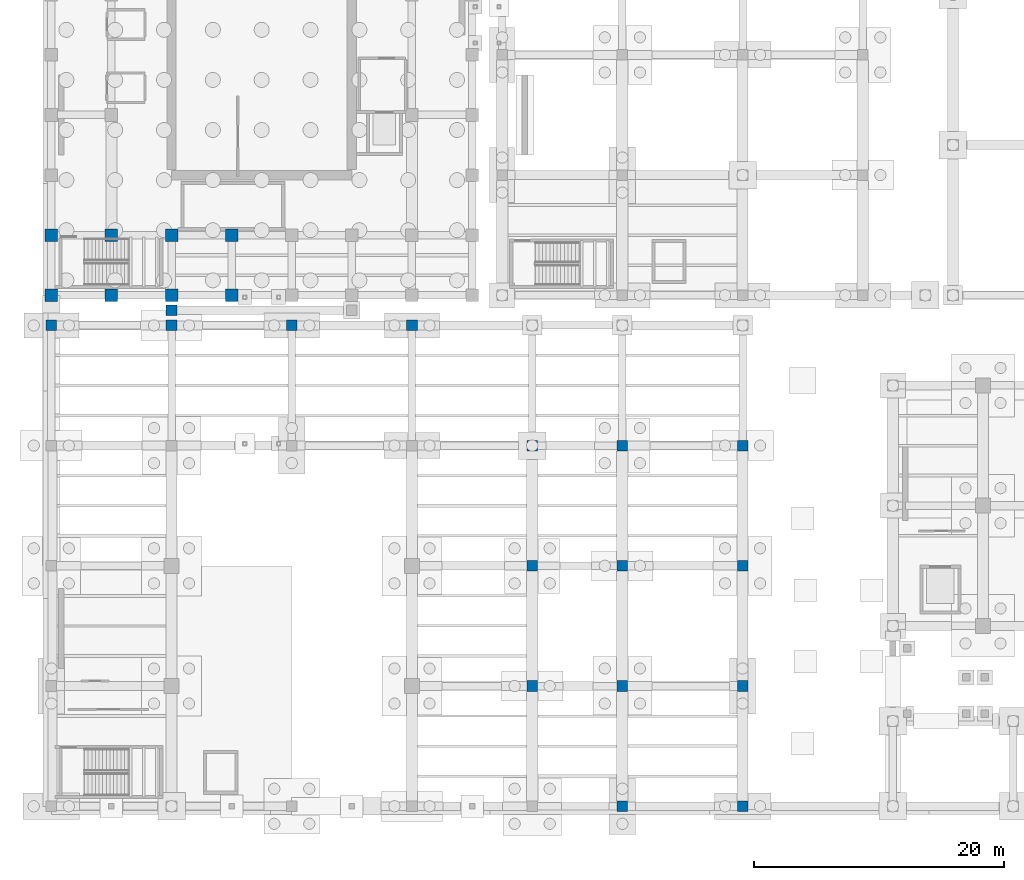
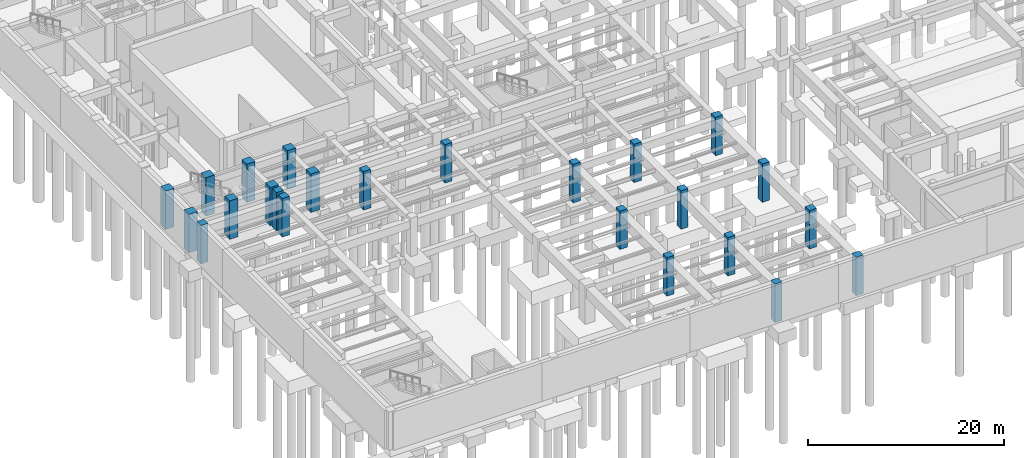
# One storey, part 14 of 56: 24 columns.
"""IFC4 building model written with IfcOpenShell, lengths in metres."""

import ifcopenshell
import ifcopenshell.guid

model = None  # the IFC model being written
_history = None  # IfcOwnerHistory: only IFC2X3 demands one
_inside = {}  # id of a spatial element -> (the spatial element, [elements in it])
_under = {}  # id of a project, library or spatial element -> (it, [spatial elements below it])
_declared = {}  # id of a project -> (the project, [libraries it declares])
_typed = {}  # id of a type object -> (the type object, [elements of that type])
_made_of = {}  # id of a material, layer set ... -> (it, [elements and type objects made of it])


def new_model(schema):
    """Start an empty IFC model of exactly this schema.

    Asked for "IFC4X3", IfcOpenShell would pick the latest addendum, in which some entities
    have other attributes; the version numbers below select the first issue.
    IFC2X3 requires an IfcOwnerHistory on every rooted entity: one is made here for all.
    """
    global model, _history
    if schema == "IFC4X3":
        model = ifcopenshell.file(schema_version=(4, 3, 0, 0))
    else:
        model = ifcopenshell.file(schema=schema)
    _inside.clear()
    _under.clear()
    _declared.clear()
    _typed.clear()
    _made_of.clear()
    _history = None
    if model.schema == "IFC2X3":
        org = make("IfcOrganization", Name="unknown")
        user = make(
            "IfcPersonAndOrganization",
            ThePerson=make("IfcPerson", FamilyName="unknown"),
            TheOrganization=org,
        )
        app = make(
            "IfcApplication",
            ApplicationDeveloper=org,
            Version="unknown",
            ApplicationFullName="unknown",
            ApplicationIdentifier="unknown",
        )
        _history = make(
            "IfcOwnerHistory",
            OwningUser=user,
            OwningApplication=app,
            ChangeAction="ADDED",
            CreationDate=0,
        )
    return model


def make(cls, **values):
    """One entity of the class cls with the attributes given. An attribute that is None is left unset."""
    return model.create_entity(
        cls, **{name: value for name, value in values.items() if value is not None}
    )


def rooted(cls, **values):
    """An entity with a GlobalId (a new one), such as an element, a storey or a relation."""
    return make(cls, GlobalId=ifcopenshell.guid.new(), OwnerHistory=_history, **values)


def si_unit(unit_type, name, prefix=None):
    """IfcSIUnit, for example si_unit("LENGTHUNIT", "METRE", prefix="MILLI")."""
    return make("IfcSIUnit", UnitType=unit_type, Prefix=prefix, Name=name)


def assignment(units):
    """IfcUnitAssignment: the units of a project."""
    return None if units is None else make("IfcUnitAssignment", Units=units)


def point(xyz):
    """IfcCartesianPoint."""
    return None if xyz is None else make("IfcCartesianPoint", Coordinates=xyz)


def direction(xyz):
    """IfcDirection."""
    return None if xyz is None else make("IfcDirection", DirectionRatios=xyz)


def frame(location, z_axis=None, x_axis=None):
    """IfcAxis2Placement3D, a coordinate frame: its origin and axes. An axis left out is left unset."""
    return make(
        "IfcAxis2Placement3D",
        Location=point(location),
        Axis=direction(z_axis),
        RefDirection=direction(x_axis),
    )


def frame_2d(location, x_axis=None):
    """IfcAxis2Placement2D, a coordinate frame in the plane: its origin and x axis."""
    return make(
        "IfcAxis2Placement2D", Location=point(location), RefDirection=direction(x_axis)
    )


def origin():
    """The frame at (0, 0, 0) with its axes left unset."""
    return frame((0.0, 0.0, 0.0))


def origin_2d():
    """The frame at (0, 0) in the plane with its x axis left unset."""
    return frame_2d((0.0, 0.0))


def place(relative_to, where):
    """IfcLocalPlacement: puts the frame where relative to a parent placement (None: the world)."""
    return make(
        "IfcLocalPlacement", PlacementRelTo=relative_to, RelativePlacement=where
    )


def context(
    kind, dimensions, precision=None, world=None, true_north=None, identifier=None
):
    """IfcGeometricRepresentationContext, for example the 3D "Model" context."""
    return make(
        "IfcGeometricRepresentationContext",
        ContextIdentifier=identifier,
        ContextType=kind,
        CoordinateSpaceDimension=dimensions,
        Precision=precision,
        WorldCoordinateSystem=world,
        TrueNorth=true_north,
    )


def subcontext(parent, identifier, kind, view, scale=None):
    """IfcGeometricRepresentationSubContext, for example "Body" below "Model"."""
    return make(
        "IfcGeometricRepresentationSubContext",
        ContextIdentifier=identifier,
        ContextType=kind,
        ParentContext=parent,
        TargetScale=scale,
        TargetView=view,
    )


def project(units=None, contexts=None):
    """IfcProject with its units and contexts."""
    return rooted(
        "IfcProject",
        Name="project",
        RepresentationContexts=contexts,
        UnitsInContext=assignment(units),
    )


def spatial(cls, under=None, at=None, **own):
    """A site, building, storey or space (cls), placed at a placement, below another one or the project."""
    s = rooted(cls, ObjectPlacement=at, **own)
    if under is not None:
        _under.setdefault(under.id(), (under, []))[1].append(s)
    return s


def profile(cls, at=None, kind="AREA", **sizes):
    """A parametric profile (cls). Its sizes go by their IFC names, for example OverallWidth=200.0."""
    return make(cls, ProfileType=kind, Position=at, **sizes)


def rectangle(**sizes):
    """IfcRectangleProfileDef."""
    return profile("IfcRectangleProfileDef", **sizes)


def extrude(swept, where, along, depth):
    """IfcExtrudedAreaSolid: the profile swept, set in the frame where, extruded along a direction by depth."""
    return make(
        "IfcExtrudedAreaSolid",
        SweptArea=swept,
        Position=where,
        ExtrudedDirection=direction(along),
        Depth=depth,
    )


def shape(context_of_items, identifier, shape_type, items):
    """IfcShapeRepresentation: the items that make up one representation, for example the "Body"."""
    return make(
        "IfcShapeRepresentation",
        ContextOfItems=context_of_items,
        RepresentationIdentifier=identifier,
        RepresentationType=shape_type,
        Items=items,
    )


def material(Name=None, Category=None):
    """IfcMaterial."""
    return make("IfcMaterial", Name=Name, Category=Category)


def material_profile(
    of_material, cross_section, Name=None, Category=None, Priority=None
):
    """IfcMaterialProfile: a cross section and its material."""
    return make(
        "IfcMaterialProfile",
        Name=Name,
        Material=of_material,
        Profile=cross_section,
        Priority=Priority,
        Category=Category,
    )


def profile_set(profiles, Name=None, composite=None):
    """IfcMaterialProfileSet."""
    return make(
        "IfcMaterialProfileSet",
        Name=Name,
        MaterialProfiles=profiles,
        CompositeProfile=composite,
    )


def made_of(thing, what):
    """Note that an element or type object is made of a material, layer set ...; save() writes the relation."""
    if what is not None:
        _made_of.setdefault(what.id(), (what, []))[1].append(thing)
    return thing


def type_object(cls, material=None, **own):
    """A type object (cls), such as IfcWallType, which elements share."""
    return made_of(rooted(cls, **own), material)


def element(
    cls,
    number,
    at=None,
    inside=None,
    cuts=None,
    type_object=None,
    material=None,
    context=None,
    identifier="Body",
    shape_type=None,
    held_by="IfcProductDefinitionShape",
    body=None,
    shapes=None,
    **own,
):
    """One element of the class cls, such as IfcWall. Its Tag is "e" and its number.

    at: its placement. inside: the storey or other place that contains it. cuts: it is an
    opening in that element (IfcRelVoidsElement). A single representation is given by context,
    identifier, shape_type and body (its items); several are given by shapes. held_by: the class
    of the entity that holds the representations. save() writes the other relations.
    """
    e = rooted(cls, Tag="e%d" % number, ObjectPlacement=at, **own)
    if body is not None:
        shapes = [shape(context, identifier, shape_type, body)]
    if shapes is not None:
        e.Representation = make(held_by, Representations=shapes)
    if inside is not None:
        _inside.setdefault(inside.id(), (inside, []))[1].append(e)
    if cuts is not None:
        rooted(
            "IfcRelVoidsElement", RelatingBuildingElement=cuts, RelatedOpeningElement=e
        )
    if type_object is not None:
        _typed.setdefault(type_object.id(), (type_object, []))[1].append(e)
    return made_of(e, material)


def aggregate(whole, parts):
    """IfcRelAggregates: a whole, such as a stair, and the parts it consists of."""
    return rooted("IfcRelAggregates", RelatingObject=whole, RelatedObjects=parts)


def save(model, path):
    """Write the relations noted so far, then the file.

    IfcRelAggregates (storeys below a building ...), IfcRelContainedInSpatialStructure (elements
    in a storey), IfcRelDefinesByType, IfcRelAssociatesMaterial and IfcRelDeclares: one each for
    every whole, place, type object, material and project.
    """
    for whole, parts in _under.values():
        aggregate(whole, parts)
    for where, things in _inside.values():
        rooted(
            "IfcRelContainedInSpatialStructure",
            RelatedElements=things,
            RelatingStructure=where,
        )
    for kind, things in _typed.values():
        rooted("IfcRelDefinesByType", RelatedObjects=things, RelatingType=kind)
    for what, things in _made_of.values():
        rooted("IfcRelAssociatesMaterial", RelatedObjects=things, RelatingMaterial=what)
    for by, libraries in _declared.values():
        rooted("IfcRelDeclares", RelatingContext=by, RelatedDefinitions=libraries)
    model.write(path)


model = new_model("IFC4")

# Units and contexts
model_context = context("Model", 3, precision=1e-05, world=origin(), true_north=direction((0.0, 1.0)))
body_context = subcontext(model_context, "Body", "Model", "MODEL_VIEW")
ifc_project = project(units=[si_unit("LENGTHUNIT", "METRE"), si_unit("AREAUNIT", "SQUARE_METRE"), si_unit("VOLUMEUNIT", "CUBIC_METRE"), si_unit("PLANEANGLEUNIT", "RADIAN"), si_unit("MASSUNIT", "GRAM", prefix="KILO")], contexts=[model_context])

# Site, building, storey
site_placement = place(None, origin())
site = spatial("IfcSite", under=ifc_project, at=site_placement, CompositionType="ELEMENT")
building_placement = place(site_placement, origin())
building = spatial("IfcBuilding", under=site, at=building_placement, Name="Mavantir Sound Aquarium", CompositionType="ELEMENT")
storey_placement = place(building_placement, frame((0.0, 0.0, -9.60009765625)))
storey = spatial("IfcBuildingStorey", under=building, at=storey_placement, Name="B2", CompositionType="ELEMENT", Elevation=-9.60009765625)

# Columns
ifc_material = material(Name="Concrete C40/50", Category="concrete")
ifc_material_profile_1 = material_profile(ifc_material, rectangle(XDim=1.0, YDim=1.0, at=origin_2d()), Name="RC 1000X1000")
ifc_profile_set_1 = profile_set([ifc_material_profile_1], Name="Concrete C40/50")
column_type_1 = type_object("IfcColumnType", Name="COL-RC1000-E", PredefinedType="COLUMN", material=ifc_profile_set_1)
for number, where, z_axis, x_axis, name in (
    (1, (0.0, 40.800048828125, 0.0), (0.0, 0.0, 1.0), (1.0, 0.0, 0.0), "B2 column RC-C10 (V1)"),
    (2, (0.0, 45.60009765625, 0.0), (0.0, 0.0, 1.0), (1.0, 0.0, 0.0), "B2 column RC-C10 (V1)"),
):
    element("IfcColumn", number, at=place(storey_placement, frame(where, z_axis=z_axis, x_axis=x_axis)), inside=storey, type_object=column_type_1, Name=name, PredefinedType="COLUMN", context=body_context, shape_type="SweptSolid", body=[
        extrude(rectangle(XDim=1.0, YDim=1.0, at=origin_2d()), origin(), (0.0, 0.0, 1.0), 4.800048828125),
    ])
ifc_material_profile_2 = material_profile(ifc_material, rectangle(XDim=1.0, YDim=1.0, at=origin_2d()), Name="RC 1000X1000")
ifc_profile_set_2 = profile_set([ifc_material_profile_2], Name="Concrete C40/50")
column_type_2 = type_object("IfcColumnType", Name="COL-RC1000-I", PredefinedType="COLUMN", material=ifc_profile_set_2)
for number, where, z_axis, x_axis, name in (
    (3, (4.800048828125, 40.800048828125, 0.0), (0.0, 0.0, 1.0), (1.0, 0.0, 0.0), "B2 column RC-C10 (V1)"),
    (4, (4.800048828125, 45.60009765625, 0.0), (0.0, 0.0, 1.0), (1.0, 0.0, 0.0), "B2 column RC-C10 (V1)"),
    (5, (9.60009765625, 40.800048828125, 0.0), (0.0, 0.0, 1.0), (1.0, 0.0, 0.0), "B2 column RC-C10 (V1)"),
    (6, (9.60009765625, 45.60009765625, 0.0), (0.0, 0.0, 1.0), (1.0, 0.0, 0.0), "B2 column RC-C10 (V1)"),
    (7, (14.39990234375, 40.800048828125, 0.0), (0.0, 0.0, 1.0), (1.0, 0.0, 0.0), "B2 column RC-C10 (V1)"),
    (8, (14.39990234375, 45.60009765625, 0.0), (0.0, 0.0, 1.0), (1.0, 0.0, 0.0), "B2 column RC-C10 (V1)"),
):
    element("IfcColumn", number, at=place(storey_placement, frame(where, z_axis=z_axis, x_axis=x_axis)), inside=storey, type_object=column_type_2, Name=name, PredefinedType="COLUMN", context=body_context, shape_type="SweptSolid", body=[
        extrude(rectangle(XDim=1.0, YDim=1.0, at=origin_2d()), origin(), (0.0, 0.0, 1.0), 4.800048828125),
    ])
ifc_material_profile_3 = material_profile(ifc_material, rectangle(XDim=0.85009765625, YDim=0.85009765625, at=origin_2d()), Name="RC 850X850")
ifc_profile_set_3 = profile_set([ifc_material_profile_3], Name="Concrete C40/50")
column_type_3 = type_object("IfcColumnType", Name="COL-RC850-E", PredefinedType="COLUMN", material=ifc_profile_set_3)
for number, where, z_axis, x_axis, name in (
    (9, (0.0, 38.39990234375, 0.0), (0.0, 0.0, 1.0), (1.0, 0.0, 0.0), "B2 column RC-C85 (V3)"),
    (10, (45.60009765625, 0.0, 0.0), (0.0, 0.0, 1.0), (1.0, 0.0, 0.0), "B2 column RC-C85 (V3)"),
    (11, (55.199951171875, 0.0, 0.0), (0.0, 0.0, 1.0), (1.0, 0.0, 0.0), "B2 column RC-C85 (V3)"),
):
    element("IfcColumn", number, at=place(storey_placement, frame(where, z_axis=z_axis, x_axis=x_axis)), inside=storey, type_object=column_type_3, Name=name, PredefinedType="COLUMN", context=body_context, shape_type="SweptSolid", body=[
        extrude(rectangle(XDim=0.85009765625, YDim=0.85009765625, at=origin_2d()), origin(), (0.0, 0.0, 1.0), 4.800048828125),
    ])
ifc_material_profile_4 = material_profile(ifc_material, rectangle(XDim=0.85009765625, YDim=0.85009765625, at=origin_2d()), Name="RC 850X850")
ifc_profile_set_4 = profile_set([ifc_material_profile_4], Name="Concrete C40/50")
column_type_4 = type_object("IfcColumnType", Name="COL-RC850-I", PredefinedType="COLUMN", material=ifc_profile_set_4)
for number, where, z_axis, x_axis, name in (
    (12, (9.60009765625, 38.39990234375, 0.0), (0.0, 0.0, 1.0), (1.0, 0.0, 0.0), "B2 column RC-C85 (V3)"),
    (13, (19.199951171875, 38.39990234375, 0.0), (0.0, 0.0, 1.0), (1.0, 0.0, 0.0), "B2 column RC-C85 (V3)"),
    (14, (28.800048828125, 38.39990234375, 0.0), (0.0, 0.0, 1.0), (1.0, 0.0, 0.0), "B2 column RC-C85 (V3)"),
    (15, (38.39990234375, 9.60009765625, 0.0), (0.0, 0.0, 1.0), (1.0, 0.0, 0.0), "B2 column RC-C85 (V3)"),
    (16, (38.39990234375, 19.199951171875, 0.0), (0.0, 0.0, 1.0), (1.0, 0.0, 0.0), "B2 column RC-C85 (V3)"),
    (17, (38.39990234375, 28.800048828125, 0.0), (0.0, 0.0, 1.0), (1.0, 0.0, 0.0), "B2 column RC-C85 (V3)"),
    (18, (45.60009765625, 9.60009765625, 0.0), (0.0, 0.0, 1.0), (1.0, 0.0, 0.0), "B2 column RC-C85 (V3)"),
    (19, (45.60009765625, 19.199951171875, 0.0), (0.0, 0.0, 1.0), (1.0, 0.0, 0.0), "B2 column RC-C85 (V3)"),
    (20, (45.60009765625, 28.800048828125, 0.0), (0.0, 0.0, 1.0), (1.0, 0.0, 0.0), "B2 column RC-C85 (V3)"),
    (21, (55.199951171875, 9.60009765625, 0.0), (0.0, 0.0, 1.0), (1.0, 0.0, 0.0), "B2 column RC-C85 (V3)"),
    (22, (55.199951171875, 19.199951171875, 0.0), (0.0, 0.0, 1.0), (1.0, 0.0, 0.0), "B2 column RC-C85 (V3)"),
    (23, (55.199951171875, 28.800048828125, 0.0), (0.0, 0.0, 1.0), (1.0, 0.0, 0.0), "B2 column RC-C85 (V3)"),
    (24, (9.60009765625, 39.60009765625, 0.0), (0.0, 0.0, 1.0), (1.0, 0.0, 0.0), "B2 column RC-C85 (COURT)"),
):
    element("IfcColumn", number, at=place(storey_placement, frame(where, z_axis=z_axis, x_axis=x_axis)), inside=storey, type_object=column_type_4, Name=name, PredefinedType="COLUMN", context=body_context, shape_type="SweptSolid", body=[
        extrude(rectangle(XDim=0.85009765625, YDim=0.85009765625, at=origin_2d()), origin(), (0.0, 0.0, 1.0), 4.800048828125),
    ])

save(model, "model.ifc")
